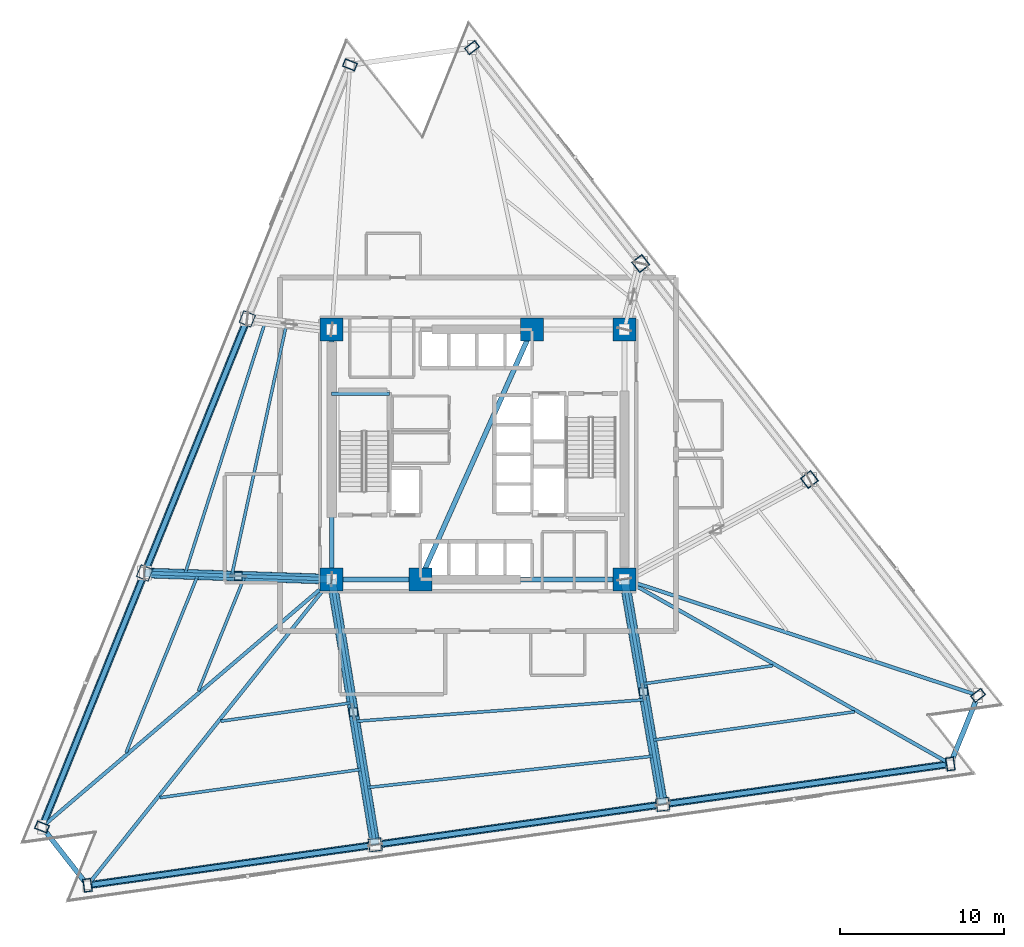
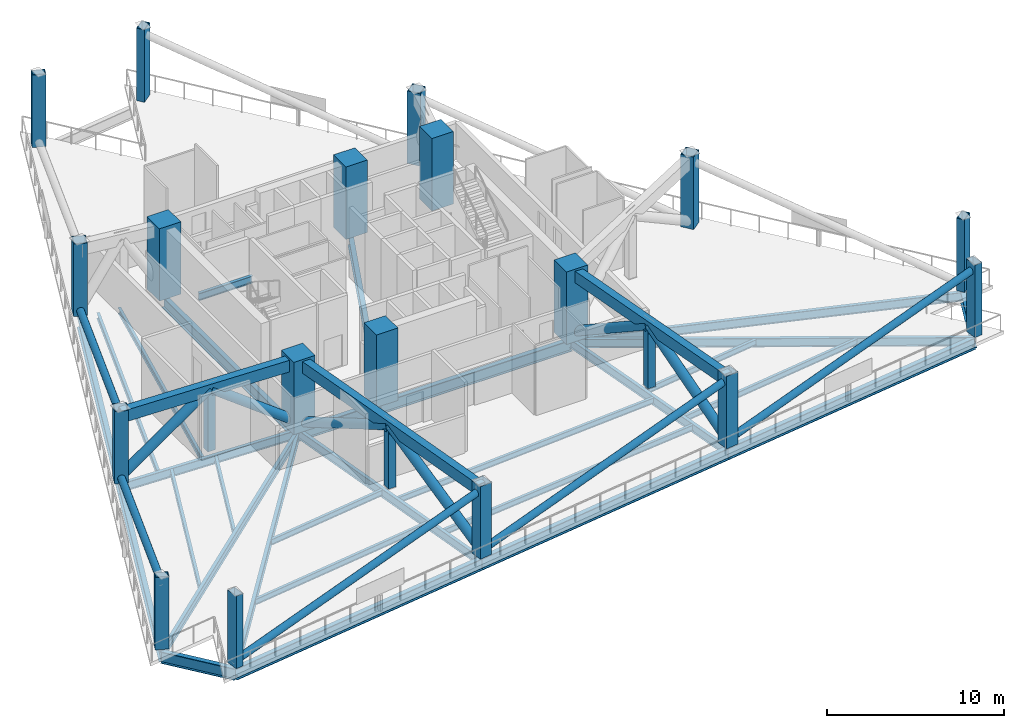
# One storey, part 1 of 13: 29 beams, 18 columns, 17 members.
"""IFC4 building model written with IfcOpenShell, lengths in metres."""

from ifc_helpers import new_model, si_unit, direction, frame, origin, origin_2d, place, context, subcontext, project, spatial, rectangle, hollow_rectangle, hollow_circle, i_section, extrude, material, material_profile, profile_set, type_object, element, save


model = new_model("IFC4")

# Units and contexts
model_context = context("Model", 3, precision=1e-05, world=origin(), true_north=direction((0.0, 1.0)))
body_context = subcontext(model_context, "Body", "Model", "MODEL_VIEW")
ifc_project = project(units=[si_unit("LENGTHUNIT", "METRE"), si_unit("AREAUNIT", "SQUARE_METRE"), si_unit("VOLUMEUNIT", "CUBIC_METRE"), si_unit("PLANEANGLEUNIT", "RADIAN"), si_unit("MASSUNIT", "GRAM", prefix="KILO")], contexts=[model_context])

# Site, building, storey
site_placement = place(None, origin())
site = spatial("IfcSite", under=ifc_project, at=site_placement, CompositionType="ELEMENT")
building_placement = place(site_placement, origin())
building = spatial("IfcBuilding", under=site, at=building_placement, Name="Tharavind Bronze Gate", CompositionType="ELEMENT")
storey_placement = place(building_placement, frame((0.0, 0.0, 81.10009765625)))
storey = spatial("IfcBuildingStorey", under=building, at=storey_placement, Name="L20", CompositionType="ELEMENT", Elevation=81.10009765625)

# Columns
ifc_material_1 = material(Name="Steel S460", Category="steel")
ifc_material_profile_1 = material_profile(ifc_material_1, hollow_rectangle(XDim=0.5, YDim=0.800048828125, WallThickness=0.0400390625, at=origin_2d()), Name="RHS800X500X40")
ifc_profile_set_1 = profile_set([ifc_material_profile_1], Name="Steel S460")
column_type_1 = type_object("IfcColumnType", Name="CORNER NOTCH COLUMN RHS800X500", PredefinedType="COLUMN", material=ifc_profile_set_1)
for number, where, z_axis, x_axis, name in (
    (1, (-7.7919921875, 23.69775390625, 0.0), (0.0, 0.0, 1.0), (0.374608211656, 0.927183200754, 0.0), "L20 perimeter column S1C1"),
    (2, (-26.525146484375, -22.66845703125, 0.0), (0.0, 0.0, 1.0), (0.374608211656, 0.927183200754, 0.0), "L20 perimeter column S1C4"),
    (3, (-23.754638671875, -26.21435546875, 0.0), (0.0, 0.0, 1.0), (0.990268068742, 0.13917310096, 0.0), "L20 perimeter column S2C1"),
    (4, (28.737060546875, -18.837158203125, 0.0), (0.0, 0.0, 1.0), (0.990268068742, 0.13917310096, 0.0), "L20 perimeter column S2C4"),
    (5, (30.422607421875, -14.664794921875, 0.0), (0.0, 0.0, 1.0), (-0.615661475326, 0.788010753607, 0.0), "L20 perimeter column S3C1"),
    (6, (-0.364990234375, 24.741455078125, 0.0), (0.0, 0.0, 1.0), (-0.615661475326, 0.788010753607, 0.0), "L20 perimeter column S3C4"),
):
    element("IfcColumn", number, at=place(storey_placement, frame(where, z_axis=z_axis, x_axis=x_axis)), inside=storey, type_object=column_type_1, Name=name, PredefinedType="COLUMN", context=body_context, shape_type="SweptSolid", body=[
        extrude(hollow_rectangle(XDim=0.5, YDim=0.800048828125, WallThickness=0.0400390625, at=origin_2d()), origin(), (0.0, 0.0, 1.0), 5.0),
    ])
ifc_material_2 = material(Name="Concrete C70/85", Category="concrete")
ifc_material_profile_2 = material_profile(ifc_material_2, rectangle(XDim=1.39990234375, YDim=1.39990234375, at=origin_2d()), Name="RCCOL1400")
ifc_profile_set_2 = profile_set([ifc_material_profile_2], Name="Concrete C70/85")
column_type_2 = type_object("IfcColumnType", Name="MEGA CORE COLUMN 1400", PredefinedType="COLUMN", material=ifc_profile_set_2)
for number, where, z_axis, x_axis, name in (
    (7, (-8.89990234375, -7.60009765625, 0.0), (0.0, 0.0, 1.0), (1.0, 0.0, 0.0), "L20 core mega column MC1"),
    (8, (-3.5, -7.60009765625, 0.0), (0.0, 0.0, 1.0), (1.0, 0.0, 0.0), "L20 core mega column MC2"),
    (9, (8.89990234375, -7.60009765625, 0.0), (0.0, 0.0, 1.0), (1.0, 0.0, 0.0), "L20 core mega column MC3"),
    (10, (8.89990234375, 7.60009765625, 0.0), (0.0, 0.0, 1.0), (1.0, 0.0, 0.0), "L20 core mega column MC4"),
    (11, (3.280029296875, 7.60009765625, 0.0), (0.0, 0.0, 1.0), (1.0, 0.0, 0.0), "L20 core mega column MC5"),
    (12, (-8.89990234375, 7.60009765625, 0.0), (0.0, 0.0, 1.0), (1.0, 0.0, 0.0), "L20 core mega column MC6"),
):
    element("IfcColumn", number, at=place(storey_placement, frame(where, z_axis=z_axis, x_axis=x_axis)), inside=storey, type_object=column_type_2, Name=name, PredefinedType="COLUMN", context=body_context, shape_type="SweptSolid", body=[
        extrude(rectangle(XDim=1.39990234375, YDim=1.39990234375, at=origin_2d()), origin(), (0.0, 0.0, 1.0), 5.0),
    ])
ifc_material_profile_3 = material_profile(ifc_material_1, hollow_rectangle(XDim=0.800048828125, YDim=0.800048828125, WallThickness=0.044921875, at=origin_2d()), Name="SHS800X45")
ifc_profile_set_3 = profile_set([ifc_material_profile_3], Name="Steel S460")
column_type_3 = type_object("IfcColumnType", Name="PERIMETER BOX COLUMN SHS800", PredefinedType="COLUMN", material=ifc_profile_set_3)
for number, where, z_axis, x_axis, name in (
    (13, (-14.036376953125, 8.2421875, 0.0), (0.0, 0.0, 1.0), (0.374608211656, 0.927183200754, 0.0), "L20 perimeter column S1C2"),
    (14, (-20.28076171875, -7.212890625, 0.0), (0.0, 0.0, 1.0), (0.374608211656, 0.927183200754, 0.0), "L20 perimeter column S1C3"),
    (15, (-6.25732421875, -23.75537109375, 0.0), (0.0, 0.0, 1.0), (0.990268068742, 0.13917310096, 0.0), "L20 perimeter column S2C2"),
    (16, (11.23974609375, -21.29638671875, 0.0), (0.0, 0.0, 1.0), (0.990268068742, 0.13917310096, 0.0), "L20 perimeter column S2C3"),
    (17, (20.16015625, -1.529296875, 0.0), (0.0, 0.0, 1.0), (-0.615661475326, 0.788010753607, 0.0), "L20 perimeter column S3C2"),
    (18, (9.897705078125, 11.60595703125, 0.0), (0.0, 0.0, 1.0), (-0.615661475326, 0.788010753607, 0.0), "L20 perimeter column S3C3"),
):
    element("IfcColumn", number, at=place(storey_placement, frame(where, z_axis=z_axis, x_axis=x_axis)), inside=storey, type_object=column_type_3, Name=name, PredefinedType="COLUMN", context=body_context, shape_type="SweptSolid", body=[
        extrude(hollow_rectangle(XDim=0.800048828125, YDim=0.800048828125, WallThickness=0.044921875, at=origin_2d()), origin(), (0.0, 0.0, 1.0), 5.0),
    ])

# Members
ifc_material_profile_4 = material_profile(ifc_material_1, hollow_circle(Radius=0.228515625, WallThickness=0.02490234375, at=origin_2d()), Name="CHS457X25")
ifc_profile_set_4 = profile_set([ifc_material_profile_4], Name="Steel S460")
member_type_1 = type_object("IfcMemberType", Name="BELT TRUSS BRACE CHS457", PredefinedType="BRACE", material=ifc_profile_set_4)
member_1_placement = place(storey_placement, frame((-14.036376953125, 8.2421875, 0.25), z_axis=(-0.363207995915, -0.898952925417, 0.244874640558), x_axis=(0.927181189894, -0.374613188644, 0.0)))
element("IfcMember", 19, at=member_1_placement, inside=storey, type_object=member_type_1, Name="L20 belt truss brace 1.2", PredefinedType="BRACE", context=body_context, shape_type="SweptSolid", body=[
    extrude(hollow_circle(Radius=0.228515625, WallThickness=0.02490234375, at=origin_2d()), origin(), (0.0, 0.0, 1.0), 17.1923828125),
])
member_2_placement = place(storey_placement, frame((-20.28076171875, -7.212890625, 0.25), z_axis=(-0.363198722955, -0.898958374922, 0.244868388733), x_axis=(0.927185300557, -0.374603014443, 0.0)))
element("IfcMember", 20, at=member_2_placement, inside=storey, type_object=member_type_1, Name="L20 belt truss brace 1.3", PredefinedType="BRACE", context=body_context, shape_type="SweptSolid", body=[
    extrude(hollow_circle(Radius=0.228515625, WallThickness=0.02490234375, at=origin_2d()), origin(), (0.0, 0.0, 1.0), 17.19287109375),
])
member_3_placement = place(storey_placement, frame((-23.754638671875, -26.21435546875, 0.25), z_axis=(0.9633029059, 0.1353777347, 0.231776574381), x_axis=(-0.13916739545, 0.990268870582, 0.0)))
element("IfcMember", 21, at=member_3_placement, inside=storey, type_object=member_type_1, Name="L20 belt truss brace 2.1", PredefinedType="BRACE", context=body_context, shape_type="SweptSolid", body=[
    extrude(hollow_circle(Radius=0.228515625, WallThickness=0.02490234375, at=origin_2d()), origin(), (0.0, 0.0, 1.0), 18.163818359375),
])
member_4_placement = place(storey_placement, frame((-6.25732421875, -23.75537109375, 0.25), z_axis=(0.963301937491, 0.135379487559, 0.231779575405), x_axis=(-0.139169299675, 0.99026860297, 0.0)))
element("IfcMember", 22, at=member_4_placement, inside=storey, type_object=member_type_1, Name="L20 belt truss brace 2.2", PredefinedType="BRACE", context=body_context, shape_type="SweptSolid", body=[
    extrude(hollow_circle(Radius=0.228515625, WallThickness=0.02490234375, at=origin_2d()), origin(), (0.0, 0.0, 1.0), 18.16357421875),
])
member_5_placement = place(storey_placement, frame((11.23974609375, -21.29638671875, 0.25), z_axis=(0.96330115298, 0.135390929327, 0.231776152618), x_axis=(-0.13918094506, 0.990266966294, 0.0)))
element("IfcMember", 23, at=member_5_placement, inside=storey, type_object=member_type_1, Name="L20 belt truss brace 2.3", PredefinedType="BRACE", context=body_context, shape_type="SweptSolid", body=[
    extrude(hollow_circle(Radius=0.228515625, WallThickness=0.02490234375, at=origin_2d()), origin(), (0.0, 0.0, 1.0), 18.163818359375),
])
ifc_material_profile_5 = material_profile(ifc_material_1, hollow_circle(Radius=0.304931640625, WallThickness=0.0400390625, at=origin_2d()), Name="CHS610X40")
ifc_profile_set_5 = profile_set([ifc_material_profile_5], Name="Steel S460")
member_type_2 = type_object("IfcMemberType", Name="OUTRIGGER DIAGONAL BRACE CHS610", PredefinedType="BRACE", material=ifc_profile_set_5)
for number, where, z_axis, x_axis, name in (
    (24, (-8.89990234375, -7.60009765625, 0.25), (-0.803606018916, 0.027340808864, 0.59453330145), (-0.034002978938, -0.999421731514, 0.0), "L20 outrigger diagonal brace 2.1"),
    (25, (-14.59033203125, -7.406494140625, 4.4599609375), (-0.803606018916, 0.027340808864, -0.59453330145), (-0.034002978938, -0.999421731514, 0.0), "L20 outrigger diagonal brace 2.2"),
):
    element("IfcMember", number, at=place(storey_placement, frame(where, z_axis=z_axis, x_axis=x_axis)), inside=storey, type_object=member_type_2, Name=name, PredefinedType="BRACE", context=body_context, shape_type="SweptSolid", body=[
        extrude(hollow_circle(Radius=0.304931640625, WallThickness=0.0400390625, at=origin_2d()), origin(), (0.0, 0.0, 1.0), 7.0810546875),
    ])
member_6_placement = place(storey_placement, frame((-8.89990234375, -7.60009765625, 0.25), z_axis=(0.143555765215, -0.877594695517, 0.457404954798), x_axis=(0.986883656727, 0.161433107154, 0.0)))
element("IfcMember", 26, at=member_6_placement, inside=storey, type_object=member_type_2, Name="L20 outrigger diagonal brace 3.1", PredefinedType="BRACE", context=body_context, shape_type="SweptSolid", body=[
    extrude(hollow_circle(Radius=0.304931640625, WallThickness=0.0400390625, at=origin_2d()), origin(), (0.0, 0.0, 1.0), 9.2041015625),
])
member_7_placement = place(storey_placement, frame((-7.57861328125, -15.677490234375, 4.4599609375), z_axis=(0.143549081926, -0.877606887227, -0.457383660149), x_axis=(0.986885211302, 0.161423603336, 0.0)))
element("IfcMember", 27, at=member_7_placement, inside=storey, type_object=member_type_2, Name="L20 outrigger diagonal brace 3.2", PredefinedType="BRACE", context=body_context, shape_type="SweptSolid", body=[
    extrude(hollow_circle(Radius=0.304931640625, WallThickness=0.0400390625, at=origin_2d()), origin(), (0.0, 0.0, 1.0), 9.204345703125),
])
member_8_placement = place(storey_placement, frame((8.89990234375, -7.60009765625, 0.25), z_axis=(0.144022454997, -0.843006227087, 0.518264443648), x_axis=(0.985718076376, 0.168403901101, 0.0)))
element("IfcMember", 28, at=member_8_placement, inside=storey, type_object=member_type_2, Name="L20 outrigger diagonal brace 4.1", PredefinedType="BRACE", context=body_context, shape_type="SweptSolid", body=[
    extrude(hollow_circle(Radius=0.304931640625, WallThickness=0.0400390625, at=origin_2d()), origin(), (0.0, 0.0, 1.0), 8.123291015625),
])
member_9_placement = place(storey_placement, frame((10.06982421875, -14.447998046875, 4.4599609375), z_axis=(0.144015157282, -0.843023617889, -0.518238182841), x_axis=(0.985720069455, 0.168392234602, 0.0)))
element("IfcMember", 29, at=member_9_placement, inside=storey, type_object=member_type_2, Name="L20 outrigger diagonal brace 4.2", PredefinedType="BRACE", context=body_context, shape_type="SweptSolid", body=[
    extrude(hollow_circle(Radius=0.304931640625, WallThickness=0.0400390625, at=origin_2d()), origin(), (0.0, 0.0, 1.0), 8.12353515625),
])
ifc_material_profile_6 = material_profile(ifc_material_1, hollow_rectangle(XDim=0.5, YDim=0.800048828125, WallThickness=0.0400390625, at=origin_2d()), Name="RHS800X500X40")
ifc_profile_set_6 = profile_set([ifc_material_profile_6], Name="Steel S460")
member_type_3 = type_object("IfcMemberType", Name="OUTRIGGER TOP CHORD RHS800", PredefinedType="CHORD", material=ifc_profile_set_6)
member_10_placement = place(storey_placement, frame((-8.89990234375, -7.60009765625, 4.4599609375), z_axis=(-0.999421731514, 0.034002978938, 0.0), x_axis=(-0.034002978938, -0.999421731514, 0.0)))
element("IfcMember", 30, at=member_10_placement, inside=storey, type_object=member_type_3, Name="L20 outrigger top chord 2", PredefinedType="CHORD", context=body_context, shape_type="SweptSolid", body=[
    extrude(hollow_rectangle(XDim=0.5, YDim=0.800048828125, WallThickness=0.0400390625, at=origin_2d()), origin(), (0.0, 0.0, 1.0), 11.387451171875),
])
member_11_placement = place(storey_placement, frame((-8.89990234375, -7.60009765625, 4.4599609375), z_axis=(0.161428355107, -0.986884434049, 0.0), x_axis=(0.986884434049, 0.161428355107, 0.0)))
element("IfcMember", 31, at=member_11_placement, inside=storey, type_object=member_type_3, Name="L20 outrigger top chord 3", PredefinedType="CHORD", context=body_context, shape_type="SweptSolid", body=[
    extrude(hollow_rectangle(XDim=0.5, YDim=0.800048828125, WallThickness=0.0400390625, at=origin_2d()), origin(), (0.0, 0.0, 1.0), 16.369873046875),
])
member_12_placement = place(storey_placement, frame((8.89990234375, -7.60009765625, 4.4599609375), z_axis=(0.168398067653, -0.985719072967, 0.0), x_axis=(0.985719072967, 0.168398067653, 0.0)))
element("IfcMember", 32, at=member_12_placement, inside=storey, type_object=member_type_3, Name="L20 outrigger top chord 4", PredefinedType="CHORD", context=body_context, shape_type="SweptSolid", body=[
    extrude(hollow_rectangle(XDim=0.5, YDim=0.800048828125, WallThickness=0.0400390625, at=origin_2d()), origin(), (0.0, 0.0, 1.0), 13.894775390625),
])
ifc_material_profile_7 = material_profile(ifc_material_1, hollow_rectangle(XDim=0.5, YDim=0.5, WallThickness=0.031982421875, at=origin_2d()), Name="SHS500X32")
ifc_profile_set_7 = profile_set([ifc_material_profile_7], Name="Steel S460")
member_type_4 = type_object("IfcMemberType", Name="OUTRIGGER VERTICAL STRUT SHS500", PredefinedType="STRUT", material=ifc_profile_set_7)
for number, where, z_axis, x_axis, name in (
    (33, (-14.59033203125, -7.406494140625, 0.25), (0.0, 0.0, 1.0), (1.0, 0.0, 0.0), "L20 outrigger vertical strut 2"),
    (34, (-7.57861328125, -15.677490234375, 0.25), (0.0, 0.0, 1.0), (1.0, 0.0, 0.0), "L20 outrigger vertical strut 3"),
    (35, (10.06982421875, -14.447998046875, 0.25), (0.0, 0.0, 1.0), (1.0, 0.0, 0.0), "L20 outrigger vertical strut 4"),
):
    element("IfcMember", number, at=place(storey_placement, frame(where, z_axis=z_axis, x_axis=x_axis)), inside=storey, type_object=member_type_4, Name=name, PredefinedType="STRUT", context=body_context, shape_type="SweptSolid", body=[
        extrude(hollow_rectangle(XDim=0.5, YDim=0.5, WallThickness=0.031982421875, at=origin_2d()), origin(), (0.0, 0.0, 1.0), 4.2099609375),
    ])

# Beams
ifc_material_3 = material(Name="Steel S355", Category="steel")
ifc_material_profile_8 = material_profile(ifc_material_3, i_section(OverallWidth=0.199951171875, OverallDepth=0.5, WebThickness=0.01025390625, FlangeThickness=0.01611328125, at=origin_2d()), Name="IPE500")
ifc_profile_set_8 = profile_set([ifc_material_profile_8], Name="Steel S355")
beam_type_1 = type_object("IfcBeamType", Name="PRIMARY GIRDER IPE500", PredefinedType="USERDEFINED", material=ifc_profile_set_8)
beam_1_placement = place(storey_placement, frame((-8.89990234375, 3.679931640625, 2.0498046875), z_axis=(1.0, 0.0, 0.0), x_axis=(0.0, 1.0, 0.0)))
element("IfcBeam", 36, at=beam_1_placement, inside=storey, type_object=beam_type_1, Name="L20 primary girder ipe500 BM-LD-ST1-L20-1", ObjectType="GIRDER", PredefinedType="USERDEFINED", context=body_context, shape_type="SweptSolid", body=[
    extrude(i_section(OverallWidth=0.199951171875, OverallDepth=0.5, WebThickness=0.01025390625, FlangeThickness=0.01611328125, at=origin_2d()), origin(), (0.0, 0.0, 1.0), 3.5),
])
ifc_material_profile_9 = material_profile(ifc_material_3, i_section(OverallWidth=0.219970703125, OverallDepth=0.60009765625, WebThickness=0.011962890625, FlangeThickness=0.01904296875, at=origin_2d()), Name="IPE600")
ifc_profile_set_9 = profile_set([ifc_material_profile_9], Name="Steel S355")
beam_type_2 = type_object("IfcBeamType", Name="PRIMARY GIRDER IPE600", PredefinedType="USERDEFINED", material=ifc_profile_set_9)
beam_2_placement = place(storey_placement, frame((-20.28076171875, -7.212890625, -0.5400390625), z_axis=(0.999421731514, -0.034002978938, 0.0), x_axis=(0.034002978938, 0.999421731514, 0.0)))
element("IfcBeam", 37, at=beam_2_placement, inside=storey, type_object=beam_type_2, Name="L20 primary girder ipe600 BM-L20-RAD03", ObjectType="GIRDER", PredefinedType="USERDEFINED", context=body_context, shape_type="SweptSolid", body=[
    extrude(i_section(OverallWidth=0.219970703125, OverallDepth=0.60009765625, WebThickness=0.011962890625, FlangeThickness=0.01904296875, at=origin_2d()), origin(), (0.0, 0.0, 1.0), 11.387451171875),
])
beam_3_placement = place(storey_placement, frame((-26.525146484375, -22.66845703125, -0.5400390625), z_axis=(0.760086871137, 0.649821474195, 0.0), x_axis=(-0.649821474195, 0.760086871137, 0.0)))
element("IfcBeam", 38, at=beam_3_placement, inside=storey, type_object=beam_type_2, Name="L20 primary girder ipe600 BM-L20-RAD04", ObjectType="GIRDER", PredefinedType="USERDEFINED", context=body_context, shape_type="SweptSolid", body=[
    extrude(i_section(OverallWidth=0.219970703125, OverallDepth=0.60009765625, WebThickness=0.011962890625, FlangeThickness=0.01904296875, at=origin_2d()), origin(), (0.0, 0.0, 1.0), 23.1884765625),
])
beam_4_placement = place(storey_placement, frame((-23.754638671875, -26.21435546875, -0.5400390625), z_axis=(0.623755703822, 0.781619358735, 0.0), x_axis=(-0.781619358735, 0.623755703822, 0.0)))
element("IfcBeam", 39, at=beam_4_placement, inside=storey, type_object=beam_type_2, Name="L20 primary girder ipe600 BM-L20-RAD05", ObjectType="GIRDER", PredefinedType="USERDEFINED", context=body_context, shape_type="SweptSolid", body=[
    extrude(i_section(OverallWidth=0.219970703125, OverallDepth=0.60009765625, WebThickness=0.011962890625, FlangeThickness=0.01904296875, at=origin_2d()), origin(), (0.0, 0.0, 1.0), 23.81494140625),
])
beam_5_placement = place(storey_placement, frame((-6.25732421875, -23.75537109375, -0.5400390625), z_axis=(-0.161428355107, 0.986884434049, 0.0), x_axis=(-0.986884434049, -0.161428355107, 0.0)))
element("IfcBeam", 40, at=beam_5_placement, inside=storey, type_object=beam_type_2, Name="L20 primary girder ipe600 BM-L20-RAD06", ObjectType="GIRDER", PredefinedType="USERDEFINED", context=body_context, shape_type="SweptSolid", body=[
    extrude(i_section(OverallWidth=0.219970703125, OverallDepth=0.60009765625, WebThickness=0.011962890625, FlangeThickness=0.01904296875, at=origin_2d()), origin(), (0.0, 0.0, 1.0), 16.369873046875),
])
beam_6_placement = place(storey_placement, frame((11.23974609375, -21.29638671875, -0.5400390625), z_axis=(-0.168398067653, 0.985719072967, 0.0), x_axis=(-0.985719072967, -0.168398067653, 0.0)))
element("IfcBeam", 41, at=beam_6_placement, inside=storey, type_object=beam_type_2, Name="L20 primary girder ipe600 BM-L20-RAD07", ObjectType="GIRDER", PredefinedType="USERDEFINED", context=body_context, shape_type="SweptSolid", body=[
    extrude(i_section(OverallWidth=0.219970703125, OverallDepth=0.60009765625, WebThickness=0.011962890625, FlangeThickness=0.01904296875, at=origin_2d()), origin(), (0.0, 0.0, 1.0), 13.894775390625),
])
beam_7_placement = place(storey_placement, frame((28.737060546875, -18.837158203125, -0.5400390625), z_axis=(-0.870097351351, 0.492879903396, 0.0), x_axis=(-0.492879903396, -0.870097351351, 0.0)))
element("IfcBeam", 42, at=beam_7_placement, inside=storey, type_object=beam_type_2, Name="L20 primary girder ipe600 BM-L20-RAD08", ObjectType="GIRDER", PredefinedType="USERDEFINED", context=body_context, shape_type="SweptSolid", body=[
    extrude(i_section(OverallWidth=0.219970703125, OverallDepth=0.60009765625, WebThickness=0.011962890625, FlangeThickness=0.01904296875, at=origin_2d()), origin(), (0.0, 0.0, 1.0), 22.798828125),
])
beam_8_placement = place(storey_placement, frame((30.422607421875, -14.664794921875, -0.5400390625), z_axis=(-0.950123985447, 0.311872429494, 0.0), x_axis=(-0.311872429494, -0.950123985447, 0.0)))
element("IfcBeam", 43, at=beam_8_placement, inside=storey, type_object=beam_type_2, Name="L20 primary girder ipe600 BM-L20-RAD09", ObjectType="GIRDER", PredefinedType="USERDEFINED", context=body_context, shape_type="SweptSolid", body=[
    extrude(i_section(OverallWidth=0.219970703125, OverallDepth=0.60009765625, WebThickness=0.011962890625, FlangeThickness=0.01904296875, at=origin_2d()), origin(), (0.0, 0.0, 1.0), 22.652587890625),
])
ifc_material_profile_10 = material_profile(ifc_material_3, i_section(OverallWidth=0.300048828125, OverallDepth=0.800048828125, WebThickness=0.017578125, FlangeThickness=0.032958984375, at=origin_2d()), Name="HE800B")
ifc_profile_set_10 = profile_set([ifc_material_profile_10], Name="Steel S355")
beam_type_3 = type_object("IfcBeamType", Name="RING GIRDER HE800B", PredefinedType="USERDEFINED", material=ifc_profile_set_10)
beam_9_placement = place(storey_placement, frame((-8.89990234375, -7.60009765625, -0.64013671875), z_axis=(1.0, 0.0, 0.0), x_axis=(0.0, 1.0, 0.0)))
element("IfcBeam", 44, at=beam_9_placement, inside=storey, type_object=beam_type_3, Name="L20 ring girder he800b BM-L20-CR1", ObjectType="GIRDER", PredefinedType="USERDEFINED", context=body_context, shape_type="SweptSolid", body=[
    extrude(i_section(OverallWidth=0.300048828125, OverallDepth=0.800048828125, WebThickness=0.017578125, FlangeThickness=0.032958984375, at=origin_2d()), origin(), (0.0, 0.0, 1.0), 5.39990234375),
])
beam_10_placement = place(storey_placement, frame((-3.5, -7.60009765625, -0.64013671875), z_axis=(1.0, 0.0, 0.0), x_axis=(0.0, 1.0, 0.0)))
element("IfcBeam", 45, at=beam_10_placement, inside=storey, type_object=beam_type_3, Name="L20 ring girder he800b BM-L20-CR2", ObjectType="GIRDER", PredefinedType="USERDEFINED", context=body_context, shape_type="SweptSolid", body=[
    extrude(i_section(OverallWidth=0.300048828125, OverallDepth=0.800048828125, WebThickness=0.017578125, FlangeThickness=0.032958984375, at=origin_2d()), origin(), (0.0, 0.0, 1.0), 12.39990234375),
])
beam_11_placement = place(storey_placement, frame((-8.89990234375, 7.60009765625, -0.64013671875), z_axis=(0.0, -1.0, 0.0), x_axis=(1.0, 0.0, 0.0)))
element("IfcBeam", 46, at=beam_11_placement, inside=storey, type_object=beam_type_3, Name="L20 ring girder he800b BM-L20-CR6", ObjectType="GIRDER", PredefinedType="USERDEFINED", context=body_context, shape_type="SweptSolid", body=[
    extrude(i_section(OverallWidth=0.300048828125, OverallDepth=0.800048828125, WebThickness=0.017578125, FlangeThickness=0.032958984375, at=origin_2d()), origin(), (0.0, 0.0, 1.0), 15.2001953125),
])
beam_12_placement = place(storey_placement, frame((-3.5, -7.60009765625, -0.64013671875), z_axis=(0.407361644566, 0.913266932795, 0.0), x_axis=(-0.913266932795, 0.407361644566, 0.0)))
element("IfcBeam", 47, at=beam_12_placement, inside=storey, type_object=beam_type_3, Name="L20 ring girder he800b BM-L20-CR7", ObjectType="GIRDER", PredefinedType="USERDEFINED", context=body_context, shape_type="SweptSolid", body=[
    extrude(i_section(OverallWidth=0.300048828125, OverallDepth=0.800048828125, WebThickness=0.017578125, FlangeThickness=0.032958984375, at=origin_2d()), origin(), (0.0, 0.0, 1.0), 16.643798828125),
])
beam_13_placement = place(storey_placement, frame((-14.036376953125, 8.2421875, -0.64013671875), z_axis=(-0.374613188644, -0.927181189894, 0.0), x_axis=(0.927181189894, -0.374613188644, 0.0)))
element("IfcBeam", 48, at=beam_13_placement, inside=storey, type_object=beam_type_3, Name="L20 ring girder he800b BM-L20-PRG02", ObjectType="GIRDER", PredefinedType="USERDEFINED", context=body_context, shape_type="SweptSolid", body=[
    extrude(i_section(OverallWidth=0.300048828125, OverallDepth=0.800048828125, WebThickness=0.017578125, FlangeThickness=0.032958984375, at=origin_2d()), origin(), (0.0, 0.0, 1.0), 16.6689453125),
])
beam_14_placement = place(storey_placement, frame((-20.28076171875, -7.212890625, -0.64013671875), z_axis=(-0.374603014443, -0.927185300557, 0.0), x_axis=(0.927185300557, -0.374603014443, 0.0)))
element("IfcBeam", 49, at=beam_14_placement, inside=storey, type_object=beam_type_3, Name="L20 ring girder he800b BM-L20-PRG03", ObjectType="GIRDER", PredefinedType="USERDEFINED", context=body_context, shape_type="SweptSolid", body=[
    extrude(i_section(OverallWidth=0.300048828125, OverallDepth=0.800048828125, WebThickness=0.017578125, FlangeThickness=0.032958984375, at=origin_2d()), origin(), (0.0, 0.0, 1.0), 16.66943359375),
])
beam_15_placement = place(storey_placement, frame((-26.525146484375, -22.66845703125, -0.64013671875), z_axis=(0.615681943852, -0.787994761413, 0.0), x_axis=(0.787994761413, 0.615681943852, 0.0)))
element("IfcBeam", 50, at=beam_15_placement, inside=storey, type_object=beam_type_3, Name="L20 ring girder he800b BM-L20-PRG04", ObjectType="GIRDER", PredefinedType="USERDEFINED", context=body_context, shape_type="SweptSolid", body=[
    extrude(i_section(OverallWidth=0.300048828125, OverallDepth=0.800048828125, WebThickness=0.017578125, FlangeThickness=0.032958984375, at=origin_2d()), origin(), (0.0, 0.0, 1.0), 4.5),
])
beam_16_placement = place(storey_placement, frame((-23.754638671875, -26.21435546875, -0.64013671875), z_axis=(0.990268870582, 0.13916739545, 0.0), x_axis=(-0.13916739545, 0.990268870582, 0.0)))
element("IfcBeam", 51, at=beam_16_placement, inside=storey, type_object=beam_type_3, Name="L20 ring girder he800b BM-L20-PRG05", ObjectType="GIRDER", PredefinedType="USERDEFINED", context=body_context, shape_type="SweptSolid", body=[
    extrude(i_section(OverallWidth=0.300048828125, OverallDepth=0.800048828125, WebThickness=0.017578125, FlangeThickness=0.032958984375, at=origin_2d()), origin(), (0.0, 0.0, 1.0), 17.669189453125),
])
beam_17_placement = place(storey_placement, frame((-6.25732421875, -23.75537109375, -0.64013671875), z_axis=(0.99026860297, 0.139169299675, 0.0), x_axis=(-0.139169299675, 0.99026860297, 0.0)))
element("IfcBeam", 52, at=beam_17_placement, inside=storey, type_object=beam_type_3, Name="L20 ring girder he800b BM-L20-PRG06", ObjectType="GIRDER", PredefinedType="USERDEFINED", context=body_context, shape_type="SweptSolid", body=[
    extrude(i_section(OverallWidth=0.300048828125, OverallDepth=0.800048828125, WebThickness=0.017578125, FlangeThickness=0.032958984375, at=origin_2d()), origin(), (0.0, 0.0, 1.0), 17.6689453125),
])
beam_18_placement = place(storey_placement, frame((11.23974609375, -21.29638671875, -0.64013671875), z_axis=(0.990266966294, 0.13918094506, 0.0), x_axis=(-0.13918094506, 0.990266966294, 0.0)))
element("IfcBeam", 53, at=beam_18_placement, inside=storey, type_object=beam_type_3, Name="L20 ring girder he800b BM-L20-PRG07", ObjectType="GIRDER", PredefinedType="USERDEFINED", context=body_context, shape_type="SweptSolid", body=[
    extrude(i_section(OverallWidth=0.300048828125, OverallDepth=0.800048828125, WebThickness=0.017578125, FlangeThickness=0.032958984375, at=origin_2d()), origin(), (0.0, 0.0, 1.0), 17.669189453125),
])
beam_19_placement = place(storey_placement, frame((28.737060546875, -18.837158203125, -0.64013671875), z_axis=(0.374568898324, 0.927199083481, 0.0), x_axis=(-0.927199083481, 0.374568898324, 0.0)))
element("IfcBeam", 54, at=beam_19_placement, inside=storey, type_object=beam_type_3, Name="L20 ring girder he800b BM-L20-PRG08", ObjectType="GIRDER", PredefinedType="USERDEFINED", context=body_context, shape_type="SweptSolid", body=[
    extrude(i_section(OverallWidth=0.300048828125, OverallDepth=0.800048828125, WebThickness=0.017578125, FlangeThickness=0.032958984375, at=origin_2d()), origin(), (0.0, 0.0, 1.0), 4.5),
])
ifc_material_profile_11 = material_profile(ifc_material_3, i_section(OverallWidth=0.179931640625, OverallDepth=0.39990234375, WebThickness=0.008544921875, FlangeThickness=0.013427734375, at=origin_2d()), Name="IPE400")
ifc_profile_set_11 = profile_set([ifc_material_profile_11], Name="Steel S355")
beam_type_4 = type_object("IfcBeamType", Name="SECONDARY FLOOR JOIST IPE400", PredefinedType="JOIST", material=ifc_profile_set_11)
beam_20_placement = place(storey_placement, frame((-11.67236328125, 7.831787109375, -0.440185546875), z_axis=(-0.212838572198, -0.977087376945, 0.0), x_axis=(0.977087376945, -0.212838572198, 0.0)))
element("IfcBeam", 55, at=beam_20_placement, inside=storey, type_object=beam_type_4, Name="L20 secondary floor joist ipe400 BM-L20-JSTA02", PredefinedType="JOIST", context=body_context, shape_type="SweptSolid", body=[
    extrude(i_section(OverallWidth=0.179931640625, OverallDepth=0.39990234375, WebThickness=0.008544921875, FlangeThickness=0.013427734375, at=origin_2d()), origin(), (0.0, 0.0, 1.0), 15.4658203125),
])
beam_21_placement = place(storey_placement, frame((-12.967041015625, 7.993896484375, -0.440185546875), z_axis=(-0.303309311807, -0.952892156212, 0.0), x_axis=(0.952892156212, -0.303309311807, 0.0)))
element("IfcBeam", 56, at=beam_21_placement, inside=storey, type_object=beam_type_4, Name="L20 secondary floor joist ipe400 BM-L20-JSTB02", PredefinedType="JOIST", context=body_context, shape_type="SweptSolid", body=[
    extrude(i_section(OverallWidth=0.179931640625, OverallDepth=0.39990234375, WebThickness=0.008544921875, FlangeThickness=0.013427734375, at=origin_2d()), origin(), (0.0, 0.0, 1.0), 15.927734375),
])
beam_22_placement = place(storey_placement, frame((-14.2373046875, -7.5322265625, -0.440185546875), z_axis=(-0.37461330308, -0.927181143658, 0.0), x_axis=(0.927181143658, -0.37461330308, 0.0)))
element("IfcBeam", 57, at=beam_22_placement, inside=storey, type_object=beam_type_4, Name="L20 secondary floor joist ipe400 BM-L20-JSTA03", PredefinedType="JOIST", context=body_context, shape_type="SweptSolid", body=[
    extrude(i_section(OverallWidth=0.179931640625, OverallDepth=0.39990234375, WebThickness=0.008544921875, FlangeThickness=0.013427734375, at=origin_2d()), origin(), (0.0, 0.0, 1.0), 7.387939453125),
])
beam_23_placement = place(storey_placement, frame((-17.08251953125, -7.435546875, -0.440185546875), z_axis=(-0.374608720943, -0.927182994987, 0.0), x_axis=(0.927182994987, -0.374608720943, 0.0)))
element("IfcBeam", 58, at=beam_23_placement, inside=storey, type_object=beam_type_4, Name="L20 secondary floor joist ipe400 BM-L20-JSTB03", PredefinedType="JOIST", context=body_context, shape_type="SweptSolid", body=[
    extrude(i_section(OverallWidth=0.179931640625, OverallDepth=0.39990234375, WebThickness=0.008544921875, FlangeThickness=0.013427734375, at=origin_2d()), origin(), (0.0, 0.0, 1.0), 11.554931640625),
])
beam_24_placement = place(storey_placement, frame((-15.64501953125, -16.23291015625, -0.440185546875), z_axis=(0.990268635853, 0.139169065695, 0.0), x_axis=(-0.139169065695, 0.990268635853, 0.0)))
element("IfcBeam", 59, at=beam_24_placement, inside=storey, type_object=beam_type_4, Name="L20 secondary floor joist ipe400 BM-L20-JSTA05", PredefinedType="JOIST", context=body_context, shape_type="SweptSolid", body=[
    extrude(i_section(OverallWidth=0.179931640625, OverallDepth=0.39990234375, WebThickness=0.008544921875, FlangeThickness=0.013427734375, at=origin_2d()), origin(), (0.0, 0.0, 1.0), 7.93798828125),
])
beam_25_placement = place(storey_placement, frame((-19.358642578125, -20.886474609375, -0.440185546875), z_axis=(0.990268624097, 0.139169149347, 0.0), x_axis=(-0.139169149347, 0.990268624097, 0.0)))
element("IfcBeam", 60, at=beam_25_placement, inside=storey, type_object=beam_type_4, Name="L20 secondary floor joist ipe400 BM-L20-JSTB05", PredefinedType="JOIST", context=body_context, shape_type="SweptSolid", body=[
    extrude(i_section(OverallWidth=0.179931640625, OverallDepth=0.39990234375, WebThickness=0.008544921875, FlangeThickness=0.013427734375, at=origin_2d()), origin(), (0.0, 0.0, 1.0), 12.355224609375),
])
beam_26_placement = place(storey_placement, frame((-7.3720703125, -16.234619140625, -0.440185546875), z_axis=(0.997229733674, 0.074383185436, 0.0), x_axis=(-0.074383185436, 0.997229733674, 0.0)))
element("IfcBeam", 61, at=beam_26_placement, inside=storey, type_object=beam_type_4, Name="L20 secondary floor joist ipe400 BM-L20-JSTA06", PredefinedType="JOIST", context=body_context, shape_type="SweptSolid", body=[
    extrude(i_section(OverallWidth=0.179931640625, OverallDepth=0.39990234375, WebThickness=0.008544921875, FlangeThickness=0.013427734375, at=origin_2d()), origin(), (0.0, 0.0, 1.0), 17.4580078125),
])
beam_27_placement = place(storey_placement, frame((-6.712158203125, -20.269287109375, -0.440185546875), z_axis=(0.99401448474, 0.109248359842, 0.0), x_axis=(-0.109248359842, 0.99401448474, 0.0)))
element("IfcBeam", 62, at=beam_27_placement, inside=storey, type_object=beam_type_4, Name="L20 secondary floor joist ipe400 BM-L20-JSTB06", PredefinedType="JOIST", context=body_context, shape_type="SweptSolid", body=[
    extrude(i_section(OverallWidth=0.179931640625, OverallDepth=0.39990234375, WebThickness=0.008544921875, FlangeThickness=0.013427734375, at=origin_2d()), origin(), (0.0, 0.0, 1.0), 17.43994140625),
])
beam_28_placement = place(storey_placement, frame((10.100830078125, -13.952880859375, -0.440185546875), z_axis=(0.990270061331, 0.13915892221, 0.0), x_axis=(-0.13915892221, 0.990270061331, 0.0)))
element("IfcBeam", 63, at=beam_28_placement, inside=storey, type_object=beam_type_4, Name="L20 secondary floor joist ipe400 BM-L20-JSTA07", PredefinedType="JOIST", context=body_context, shape_type="SweptSolid", body=[
    extrude(i_section(OverallWidth=0.179931640625, OverallDepth=0.39990234375, WebThickness=0.008544921875, FlangeThickness=0.013427734375, at=origin_2d()), origin(), (0.0, 0.0, 1.0), 7.917724609375),
])
beam_29_placement = place(storey_placement, frame((10.685791015625, -17.376953125, -0.440185546875), z_axis=(0.990269539088, 0.139162638498, 0.0), x_axis=(-0.139162638498, 0.990269539088, 0.0)))
element("IfcBeam", 64, at=beam_29_placement, inside=storey, type_object=beam_type_4, Name="L20 secondary floor joist ipe400 BM-L20-JSTB07", PredefinedType="JOIST", context=body_context, shape_type="SweptSolid", body=[
    extrude(i_section(OverallWidth=0.179931640625, OverallDepth=0.39990234375, WebThickness=0.008544921875, FlangeThickness=0.013427734375, at=origin_2d()), origin(), (0.0, 0.0, 1.0), 12.3349609375),
])

save(model, "model.ifc")
